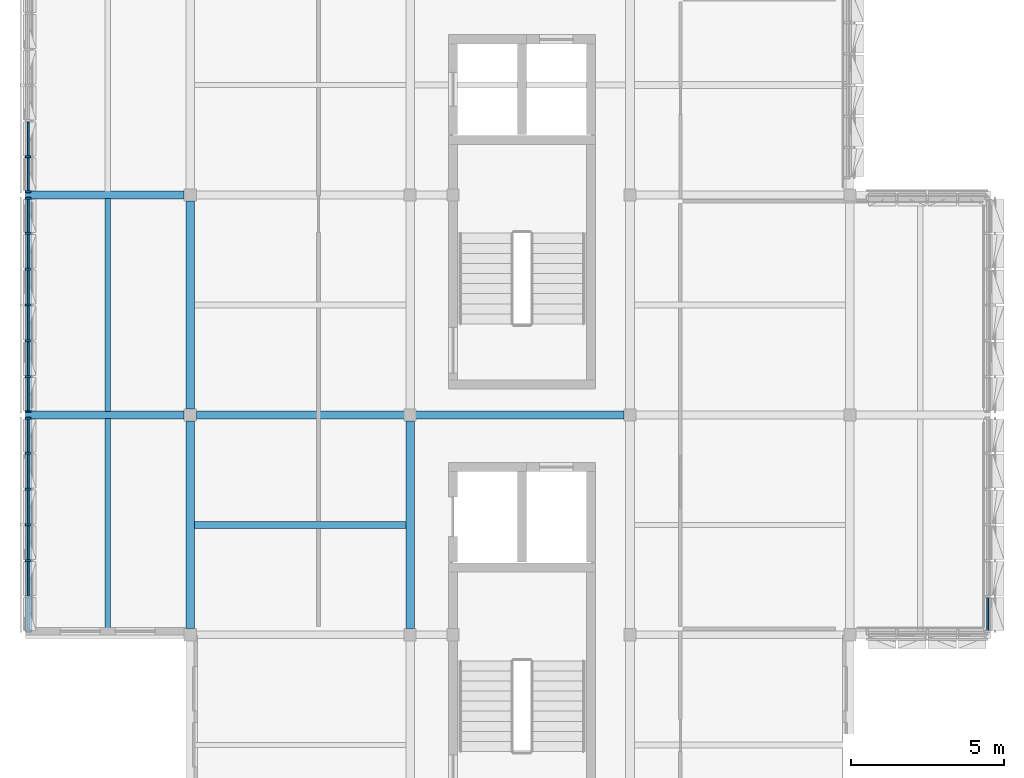
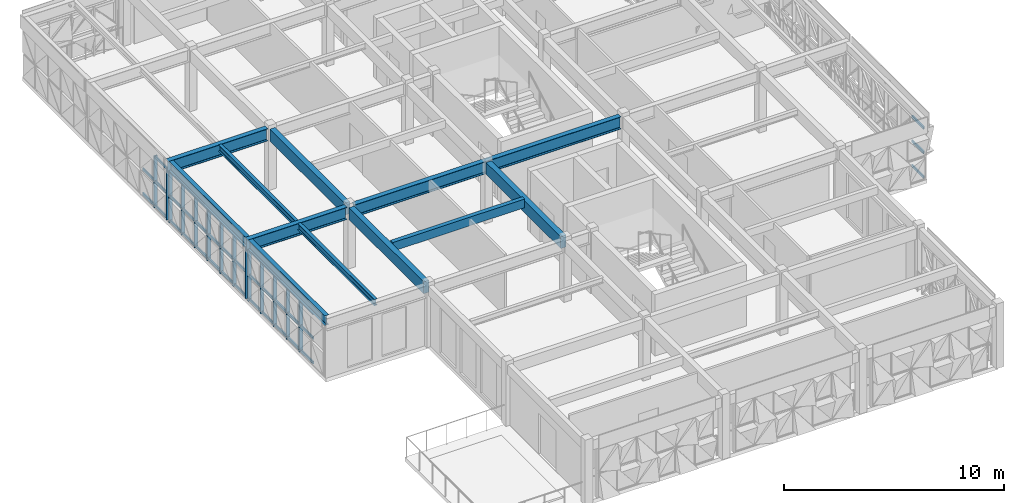
# One storey, part 3 of 25: 55 members, 11 beams, 4 elements without a shape of their own.
"""IFC4 building model written with IfcOpenShell, lengths in metres."""

from ifc_helpers import new_model, si_unit, direction, frame, origin, origin_2d, place, context, subcontext, project, spatial, rectangle, i_section, extrude, material, material_profile, profile_set, type_object, element, aggregate, save


model = new_model("IFC4")

# Units and contexts
model_context = context("Model", 3, precision=1e-05, world=origin(), true_north=direction((0.0, 1.0)))
body_context = subcontext(model_context, "Body", "Model", "MODEL_VIEW")
ifc_project = project(units=[si_unit("LENGTHUNIT", "METRE"), si_unit("AREAUNIT", "SQUARE_METRE"), si_unit("VOLUMEUNIT", "CUBIC_METRE"), si_unit("PLANEANGLEUNIT", "RADIAN"), si_unit("MASSUNIT", "GRAM", prefix="KILO")], contexts=[model_context])

# Site, building, storey
site_placement = place(None, origin())
site = spatial("IfcSite", under=ifc_project, at=site_placement, CompositionType="ELEMENT")
building_placement = place(site_placement, origin())
building = spatial("IfcBuilding", under=site, at=building_placement, Name="Alvorim Cloister Faculty of Sciences", CompositionType="ELEMENT")
storey_placement = place(building_placement, frame((0.0, 0.0, 29.699951171875)))
storey = spatial("IfcBuildingStorey", under=building, at=storey_placement, Name="L08", CompositionType="ELEMENT", Elevation=29.699951171875)

# Beams
ifc_material_1 = material(Name="Glulam GL28h", Category="wood")
ifc_material_profile_1 = material_profile(ifc_material_1, rectangle(XDim=0.280029296875, YDim=0.659912109375, at=origin_2d()), Name="GL28-BM-280x660")
ifc_profile_set_1 = profile_set([ifc_material_profile_1], Name="Glulam GL28h")
beam_type_1 = type_object("IfcBeamType", Name="BM-GL-280x660", PredefinedType="BEAM", material=ifc_profile_set_1)
for number, where, z_axis, x_axis, name in (
    (1, (7.199951171875, 21.800048828125, 3.070068359375), (0.0, 1.0, 0.0), (-1.0, 0.0, 0.0), "L08 Primary Girder BM-2182"),
    (2, (7.199951171875, 29.0, 3.070068359375), (0.0, 1.0, 0.0), (-1.0, 0.0, 0.0), "L08 Primary Girder BM-2183"),
    (3, (14.39990234375, 21.800048828125, 3.06005859375), (0.0, 1.0, 0.0), (-1.0, 0.0, 0.0), "L08 Primary Girder BM-2189"),
):
    element("IfcBeam", number, at=place(storey_placement, frame(where, z_axis=z_axis, x_axis=x_axis)), inside=storey, type_object=beam_type_1, Name=name, PredefinedType="BEAM", context=body_context, shape_type="SweptSolid", body=[
        extrude(rectangle(XDim=0.280029296875, YDim=0.659912109375, at=origin_2d()), origin(), (0.0, 0.0, 1.0), 6.800048828125),
    ])
ifc_material_profile_2 = material_profile(ifc_material_1, rectangle(XDim=0.219970703125, YDim=0.47998046875, at=origin_2d()), Name="GL28-JST-220x480")
ifc_profile_set_2 = profile_set([ifc_material_profile_2], Name="Glulam GL28h")
beam_type_2 = type_object("IfcBeamType", Name="BM-JST-GL-220x480", PredefinedType="JOIST", material=ifc_profile_set_2)
beam_1_placement = place(storey_placement, frame((7.340087890625, 25.199951171875, 3.25), z_axis=(1.0, 0.0, 0.0), x_axis=(0.0, 1.0, 0.0)))
element("IfcBeam", 4, at=beam_1_placement, inside=storey, type_object=beam_type_2, Name="L08 Secondary Floor Joist BM-2210", PredefinedType="JOIST", context=body_context, shape_type="SweptSolid", body=[
    extrude(rectangle(XDim=0.219970703125, YDim=0.47998046875, at=origin_2d()), origin(), (0.0, 0.0, 1.0), 6.919921875),
])
ifc_material_2 = material(Name="Steel ASTM A572 Grade 50", Category="steel")
ifc_material_profile_3 = material_profile(ifc_material_2, i_section(OverallWidth=0.1708984375, OverallDepth=0.35498046875, WebThickness=0.007080078125, FlangeThickness=0.01171875, FilletRadius=0.012939453125, at=origin_2d()), Name="W360x51.0")
ifc_profile_set_3 = profile_set([ifc_material_profile_3], Name="Steel ASTM A572 Grade 50")
beam_type_3 = type_object("IfcBeamType", Name="BM-STL-W360", PredefinedType="JOIST", material=ifc_profile_set_3)
for number, where, z_axis, x_axis, name in (
    (5, (4.5, 21.7099609375, 3.22265625), (0.0, 1.0, 0.0), (-1.0, 0.0, 0.0), "L08 Cantilever Deck Joist BM-0198"),
    (6, (4.5, 28.909912109375, 3.22265625), (0.0, 1.0, 0.0), (-1.0, 0.0, 0.0), "L08 Cantilever Deck Joist BM-0200"),
):
    element("IfcBeam", number, at=place(storey_placement, frame(where, z_axis=z_axis, x_axis=x_axis)), inside=storey, type_object=beam_type_3, Name=name, PredefinedType="JOIST", context=body_context, shape_type="SweptSolid", body=[
        extrude(i_section(OverallWidth=0.1708984375, OverallDepth=0.35498046875, WebThickness=0.007080078125, FlangeThickness=0.01171875, FilletRadius=0.012939453125, at=origin_2d()), origin(), (0.0, 0.0, 1.0), 6.97998046875),
    ])
ifc_material_profile_4 = material_profile(ifc_material_2, i_section(OverallWidth=0.208984375, OverallDepth=0.532958984375, WebThickness=0.01025390625, FlangeThickness=0.015625, FilletRadius=0.01611328125, at=origin_2d()), Name="W530x92.0")
ifc_profile_set_4 = profile_set([ifc_material_profile_4], Name="Steel ASTM A572 Grade 50")
beam_type_4 = type_object("IfcBeamType", Name="BM-STL-W530", PredefinedType="BEAM", material=ifc_profile_set_4)
for number, where, z_axis, x_axis, name in (
    (7, (1.919921875, 21.7099609375, 3.133544921875), (0.0, 1.0, 0.0), (-1.0, 0.0, 0.0), "L08 Cantilever Tip Header Girder BM-0197"),
    (8, (1.919921875, 28.909912109375, 3.133544921875), (0.0, 1.0, 0.0), (-1.0, 0.0, 0.0), "L08 Cantilever Tip Header Girder BM-0199"),
):
    element("IfcBeam", number, at=place(storey_placement, frame(where, z_axis=z_axis, x_axis=x_axis)), inside=storey, type_object=beam_type_4, Name=name, PredefinedType="BEAM", context=body_context, shape_type="SweptSolid", body=[
        extrude(i_section(OverallWidth=0.208984375, OverallDepth=0.532958984375, WebThickness=0.01025390625, FlangeThickness=0.015625, FilletRadius=0.01611328125, at=origin_2d()), origin(), (0.0, 0.0, 1.0), 6.97998046875),
    ])
ifc_material_profile_5 = material_profile(ifc_material_2, i_section(OverallWidth=0.25390625, OverallDepth=0.68408203125, WebThickness=0.012451171875, FlangeThickness=0.01904296875, FilletRadius=0.01904296875, at=origin_2d()), Name="W690x140.0")
ifc_profile_set_5 = profile_set([ifc_material_profile_5], Name="Steel ASTM A572 Grade 50")
beam_type_5 = type_object("IfcBeamType", Name="BM-STL-W690", PredefinedType="BEAM", material=ifc_profile_set_5)
beam_2_placement = place(storey_placement, frame((7.39990234375, 28.800048828125, 3.048095703125), z_axis=(1.0, 0.0, 0.0), x_axis=(0.0, 1.0, 0.0)))
element("IfcBeam", 9, at=beam_2_placement, inside=storey, type_object=beam_type_5, Name="L08 Cantilever Backspan Girder BM-0189", PredefinedType="BEAM", context=body_context, shape_type="SweptSolid", body=[
    extrude(i_section(OverallWidth=0.25390625, OverallDepth=0.68408203125, WebThickness=0.012451171875, FlangeThickness=0.01904296875, FilletRadius=0.01904296875, at=origin_2d()), origin(), (0.0, 0.0, 1.0), 14.0),
])
for number, where, z_axis, x_axis, name in (
    (10, (1.800048828125, 28.800048828125, 3.05810546875), (1.0, 0.0, 0.0), (0.0, 1.0, 0.0), "L08 Cantilever Overhang Girder BM-0190"),
    (11, (1.800048828125, 36.0, 3.05810546875), (1.0, 0.0, 0.0), (0.0, 1.0, 0.0), "L08 Cantilever Overhang Girder BM-0192"),
):
    element("IfcBeam", number, at=place(storey_placement, frame(where, z_axis=z_axis, x_axis=x_axis)), inside=storey, type_object=beam_type_5, Name=name, PredefinedType="BEAM", context=body_context, shape_type="SweptSolid", body=[
        extrude(i_section(OverallWidth=0.25390625, OverallDepth=0.68408203125, WebThickness=0.012451171875, FlangeThickness=0.01904296875, FilletRadius=0.01904296875, at=origin_2d()), origin(), (0.0, 0.0, 1.0), 5.199951171875),
    ])

# Curtain wall, members
ifc_material_3 = material(Name="Aluminium and Low-E Glass Curtain Wall", Category="aluminium")
curtain_wall_type = type_object("IfcCurtainWallType", Name="CW-TRI-7040x2867", PredefinedType="USERDEFINED", material=ifc_material_3)
curtain_wall_1_placement = place(storey_placement, origin())
curtain_wall_1 = element("IfcCurtainWall", 12, at=curtain_wall_1_placement, inside=storey, type_object=curtain_wall_type, Name="L08 Diagonal Cassette Curtain Wall CW-0281", ObjectType="UNITISED CURTAIN WALL", PredefinedType="USERDEFINED")
ifc_material_4 = material(Name="Aluminium Alloy 6063-T6", Category="aluminium")
ifc_material_profile_6 = material_profile(ifc_material_4, rectangle(XDim=0.06494140625, YDim=0.179931640625, at=origin_2d()), Name="ALU-MUL-65x180")
ifc_profile_set_6 = profile_set([ifc_material_profile_6], Name="Aluminium Alloy 6063-T6")
member_type_1 = type_object("IfcMemberType", Name="CW-MUL-65x180", PredefinedType="MULLION", material=ifc_profile_set_6)
member_1_placement = place(storey_placement, frame((1.889892578125, 24.026611328125, 0.0), z_axis=(0.0, 0.0, 1.0), x_axis=(0.0, 1.0, 0.0)))
member_1 = element("IfcMember", 13, at=member_1_placement, type_object=member_type_1, Name="CW-0281 Mullion 3", PredefinedType="MULLION", context=body_context, shape_type="SweptSolid", body=[
    extrude(rectangle(XDim=0.06494140625, YDim=0.179931640625, at=origin_2d()), origin(), (0.0, 0.0, 1.0), 2.866943359375),
])
member_2_placement = place(storey_placement, frame((1.889892578125, 25.199951171875, 0.0), z_axis=(0.0, 0.0, 1.0), x_axis=(0.0, 1.0, 0.0)))
member_2 = element("IfcMember", 14, at=member_2_placement, type_object=member_type_1, Name="CW-0281 Mullion 4", PredefinedType="MULLION", context=body_context, shape_type="SweptSolid", body=[
    extrude(rectangle(XDim=0.06494140625, YDim=0.179931640625, at=origin_2d()), origin(), (0.0, 0.0, 1.0), 2.866943359375),
])
member_3_placement = place(storey_placement, frame((1.889892578125, 26.373291015625, 0.0), z_axis=(0.0, 0.0, 1.0), x_axis=(0.0, 1.0, 0.0)))
member_3 = element("IfcMember", 15, at=member_3_placement, type_object=member_type_1, Name="CW-0281 Mullion 5", PredefinedType="MULLION", context=body_context, shape_type="SweptSolid", body=[
    extrude(rectangle(XDim=0.06494140625, YDim=0.179931640625, at=origin_2d()), origin(), (0.0, 0.0, 1.0), 2.866943359375),
])
member_4_placement = place(storey_placement, frame((1.889892578125, 27.546630859375, 0.0), z_axis=(0.0, 0.0, 1.0), x_axis=(0.0, 1.0, 0.0)))
member_4 = element("IfcMember", 16, at=member_4_placement, type_object=member_type_1, Name="CW-0281 Mullion 6", PredefinedType="MULLION", context=body_context, shape_type="SweptSolid", body=[
    extrude(rectangle(XDim=0.06494140625, YDim=0.179931640625, at=origin_2d()), origin(), (0.0, 0.0, 1.0), 2.866943359375),
])
member_5_placement = place(storey_placement, frame((1.889892578125, 28.6875, 0.0), z_axis=(0.0, 0.0, 1.0), x_axis=(0.0, 1.0, 0.0)))
member_5 = element("IfcMember", 17, at=member_5_placement, type_object=member_type_1, Name="CW-0281 Mullion 7", PredefinedType="MULLION", context=body_context, shape_type="SweptSolid", body=[
    extrude(rectangle(XDim=0.06494140625, YDim=0.179931640625, at=origin_2d()), origin(), (0.0, 0.0, 1.0), 2.866943359375),
])

curtain_wall_2_placement = place(storey_placement, origin())
curtain_wall_2 = element("IfcCurtainWall", 18, at=curtain_wall_2_placement, inside=storey, type_object=curtain_wall_type, Name="L08 Diagonal Cassette Curtain Wall CW-0282", ObjectType="UNITISED CURTAIN WALL", PredefinedType="USERDEFINED")
member_6_placement = place(storey_placement, frame((1.889892578125, 28.91259765625, 0.0), z_axis=(0.0, 0.0, 1.0), x_axis=(0.0, 1.0, 0.0)))
member_6 = element("IfcMember", 19, at=member_6_placement, type_object=member_type_1, Name="CW-0282 Mullion 1", PredefinedType="MULLION", context=body_context, shape_type="SweptSolid", body=[
    extrude(rectangle(XDim=0.06494140625, YDim=0.179931640625, at=origin_2d()), origin(), (0.0, 0.0, 1.0), 2.866943359375),
])
member_7_placement = place(storey_placement, frame((1.889892578125, 30.05322265625, 0.0), z_axis=(0.0, 0.0, 1.0), x_axis=(0.0, 1.0, 0.0)))
member_7 = element("IfcMember", 20, at=member_7_placement, type_object=member_type_1, Name="CW-0282 Mullion 2", PredefinedType="MULLION", context=body_context, shape_type="SweptSolid", body=[
    extrude(rectangle(XDim=0.06494140625, YDim=0.179931640625, at=origin_2d()), origin(), (0.0, 0.0, 1.0), 2.866943359375),
])
member_8_placement = place(storey_placement, frame((1.889892578125, 31.226806640625, 0.0), z_axis=(0.0, 0.0, 1.0), x_axis=(0.0, 1.0, 0.0)))
member_8 = element("IfcMember", 21, at=member_8_placement, type_object=member_type_1, Name="CW-0282 Mullion 3", PredefinedType="MULLION", context=body_context, shape_type="SweptSolid", body=[
    extrude(rectangle(XDim=0.06494140625, YDim=0.179931640625, at=origin_2d()), origin(), (0.0, 0.0, 1.0), 2.866943359375),
])
member_9_placement = place(storey_placement, frame((1.889892578125, 32.39990234375, 0.0), z_axis=(0.0, 0.0, 1.0), x_axis=(0.0, 1.0, 0.0)))
member_9 = element("IfcMember", 22, at=member_9_placement, type_object=member_type_1, Name="CW-0282 Mullion 4", PredefinedType="MULLION", context=body_context, shape_type="SweptSolid", body=[
    extrude(rectangle(XDim=0.06494140625, YDim=0.179931640625, at=origin_2d()), origin(), (0.0, 0.0, 1.0), 2.866943359375),
])
member_10_placement = place(storey_placement, frame((1.889892578125, 33.5732421875, 0.0), z_axis=(0.0, 0.0, 1.0), x_axis=(0.0, 1.0, 0.0)))
member_10 = element("IfcMember", 23, at=member_10_placement, type_object=member_type_1, Name="CW-0282 Mullion 5", PredefinedType="MULLION", context=body_context, shape_type="SweptSolid", body=[
    extrude(rectangle(XDim=0.06494140625, YDim=0.179931640625, at=origin_2d()), origin(), (0.0, 0.0, 1.0), 2.866943359375),
])
member_11_placement = place(storey_placement, frame((1.889892578125, 34.74658203125, 0.0), z_axis=(0.0, 0.0, 1.0), x_axis=(0.0, 1.0, 0.0)))
member_11 = element("IfcMember", 24, at=member_11_placement, type_object=member_type_1, Name="CW-0282 Mullion 6", PredefinedType="MULLION", context=body_context, shape_type="SweptSolid", body=[
    extrude(rectangle(XDim=0.06494140625, YDim=0.179931640625, at=origin_2d()), origin(), (0.0, 0.0, 1.0), 2.866943359375),
])
member_12_placement = place(storey_placement, frame((1.889892578125, 35.887451171875, 0.0), z_axis=(0.0, 0.0, 1.0), x_axis=(0.0, 1.0, 0.0)))
member_12 = element("IfcMember", 25, at=member_12_placement, type_object=member_type_1, Name="CW-0282 Mullion 7", PredefinedType="MULLION", context=body_context, shape_type="SweptSolid", body=[
    extrude(rectangle(XDim=0.06494140625, YDim=0.179931640625, at=origin_2d()), origin(), (0.0, 0.0, 1.0), 2.866943359375),
])

curtain_wall_3_placement = place(storey_placement, origin())
curtain_wall_3 = element("IfcCurtainWall", 26, at=curtain_wall_3_placement, inside=storey, type_object=curtain_wall_type, Name="L08 Diagonal Cassette Curtain Wall CW-0283", ObjectType="UNITISED CURTAIN WALL", PredefinedType="USERDEFINED")
member_13_placement = place(storey_placement, frame((1.889892578125, 36.112548828125, 0.0), z_axis=(0.0, 0.0, 1.0), x_axis=(0.0, 1.0, 0.0)))
member_13 = element("IfcMember", 27, at=member_13_placement, type_object=member_type_1, Name="CW-0283 Mullion 1", PredefinedType="MULLION", context=body_context, shape_type="SweptSolid", body=[
    extrude(rectangle(XDim=0.06494140625, YDim=0.179931640625, at=origin_2d()), origin(), (0.0, 0.0, 1.0), 2.866943359375),
])
member_14_placement = place(storey_placement, frame((1.889892578125, 37.25341796875, 0.0), z_axis=(0.0, 0.0, 1.0), x_axis=(0.0, 1.0, 0.0)))
member_14 = element("IfcMember", 28, at=member_14_placement, type_object=member_type_1, Name="CW-0283 Mullion 2", PredefinedType="MULLION", context=body_context, shape_type="SweptSolid", body=[
    extrude(rectangle(XDim=0.06494140625, YDim=0.179931640625, at=origin_2d()), origin(), (0.0, 0.0, 1.0), 2.866943359375),
])

# Member
ifc_material_profile_7 = material_profile(ifc_material_4, rectangle(XDim=0.06494140625, YDim=0.139892578125, at=origin_2d()), Name="ALU-TRN-65x140")
ifc_profile_set_7 = profile_set([ifc_material_profile_7], Name="Aluminium Alloy 6063-T6")
member_type_2 = type_object("IfcMemberType", Name="CW-TRN-65x140", PredefinedType="USERDEFINED", material=ifc_profile_set_7)
member_15_placement = place(storey_placement, frame((1.889892578125, 22.8857421875, 0.070068359375), z_axis=(0.0, 1.0, 0.0), x_axis=(-1.0, 0.0, 0.0)))
member_15 = element("IfcMember", 29, at=member_15_placement, type_object=member_type_2, Name="CW-0281 Transom 2.1", ObjectType="TRANSOM", PredefinedType="USERDEFINED", context=body_context, shape_type="SweptSolid", body=[
    extrude(rectangle(XDim=0.06494140625, YDim=0.139892578125, at=origin_2d()), origin(), (0.0, 0.0, 1.0), 1.1083984375),
])

member_16_placement = place(storey_placement, frame((1.889892578125, 22.8857421875, 1.43359375), z_axis=(0.0, 1.0, 0.0), x_axis=(-1.0, 0.0, 0.0)))
member_16 = element("IfcMember", 30, at=member_16_placement, type_object=member_type_2, Name="CW-0281 Transom 2.2", ObjectType="TRANSOM", PredefinedType="USERDEFINED", context=body_context, shape_type="SweptSolid", body=[
    extrude(rectangle(XDim=0.06494140625, YDim=0.139892578125, at=origin_2d()), origin(), (0.0, 0.0, 1.0), 1.1083984375),
])

member_17_placement = place(storey_placement, frame((1.889892578125, 22.8857421875, 2.797119140625), z_axis=(0.0, 1.0, 0.0), x_axis=(-1.0, 0.0, 0.0)))
member_17 = element("IfcMember", 31, at=member_17_placement, type_object=member_type_2, Name="CW-0281 Transom 2.3", ObjectType="TRANSOM", PredefinedType="USERDEFINED", context=body_context, shape_type="SweptSolid", body=[
    extrude(rectangle(XDim=0.06494140625, YDim=0.139892578125, at=origin_2d()), origin(), (0.0, 0.0, 1.0), 1.1083984375),
])

member_18_placement = place(storey_placement, frame((1.889892578125, 24.05908203125, 0.070068359375), z_axis=(0.0, 1.0, 0.0), x_axis=(-1.0, 0.0, 0.0)))
member_18 = element("IfcMember", 32, at=member_18_placement, type_object=member_type_2, Name="CW-0281 Transom 3.1", ObjectType="TRANSOM", PredefinedType="USERDEFINED", context=body_context, shape_type="SweptSolid", body=[
    extrude(rectangle(XDim=0.06494140625, YDim=0.139892578125, at=origin_2d()), origin(), (0.0, 0.0, 1.0), 1.1083984375),
])

member_19_placement = place(storey_placement, frame((1.889892578125, 24.05908203125, 1.43359375), z_axis=(0.0, 1.0, 0.0), x_axis=(-1.0, 0.0, 0.0)))
member_19 = element("IfcMember", 33, at=member_19_placement, type_object=member_type_2, Name="CW-0281 Transom 3.2", ObjectType="TRANSOM", PredefinedType="USERDEFINED", context=body_context, shape_type="SweptSolid", body=[
    extrude(rectangle(XDim=0.06494140625, YDim=0.139892578125, at=origin_2d()), origin(), (0.0, 0.0, 1.0), 1.1083984375),
])

member_20_placement = place(storey_placement, frame((1.889892578125, 24.05908203125, 2.797119140625), z_axis=(0.0, 1.0, 0.0), x_axis=(-1.0, 0.0, 0.0)))
member_20 = element("IfcMember", 34, at=member_20_placement, type_object=member_type_2, Name="CW-0281 Transom 3.3", ObjectType="TRANSOM", PredefinedType="USERDEFINED", context=body_context, shape_type="SweptSolid", body=[
    extrude(rectangle(XDim=0.06494140625, YDim=0.139892578125, at=origin_2d()), origin(), (0.0, 0.0, 1.0), 1.1083984375),
])

member_21_placement = place(storey_placement, frame((1.889892578125, 25.232421875, 0.070068359375), z_axis=(0.0, 1.0, 0.0), x_axis=(-1.0, 0.0, 0.0)))
member_21 = element("IfcMember", 35, at=member_21_placement, type_object=member_type_2, Name="CW-0281 Transom 4.1", ObjectType="TRANSOM", PredefinedType="USERDEFINED", context=body_context, shape_type="SweptSolid", body=[
    extrude(rectangle(XDim=0.06494140625, YDim=0.139892578125, at=origin_2d()), origin(), (0.0, 0.0, 1.0), 1.1083984375),
])

member_22_placement = place(storey_placement, frame((1.889892578125, 25.232421875, 1.43359375), z_axis=(0.0, 1.0, 0.0), x_axis=(-1.0, 0.0, 0.0)))
member_22 = element("IfcMember", 36, at=member_22_placement, type_object=member_type_2, Name="CW-0281 Transom 4.2", ObjectType="TRANSOM", PredefinedType="USERDEFINED", context=body_context, shape_type="SweptSolid", body=[
    extrude(rectangle(XDim=0.06494140625, YDim=0.139892578125, at=origin_2d()), origin(), (0.0, 0.0, 1.0), 1.1083984375),
])

member_23_placement = place(storey_placement, frame((1.889892578125, 25.232421875, 2.797119140625), z_axis=(0.0, 1.0, 0.0), x_axis=(-1.0, 0.0, 0.0)))
member_23 = element("IfcMember", 37, at=member_23_placement, type_object=member_type_2, Name="CW-0281 Transom 4.3", ObjectType="TRANSOM", PredefinedType="USERDEFINED", context=body_context, shape_type="SweptSolid", body=[
    extrude(rectangle(XDim=0.06494140625, YDim=0.139892578125, at=origin_2d()), origin(), (0.0, 0.0, 1.0), 1.1083984375),
])

member_24_placement = place(storey_placement, frame((1.889892578125, 26.40576171875, 0.070068359375), z_axis=(0.0, 1.0, 0.0), x_axis=(-1.0, 0.0, 0.0)))
member_24 = element("IfcMember", 38, at=member_24_placement, type_object=member_type_2, Name="CW-0281 Transom 5.1", ObjectType="TRANSOM", PredefinedType="USERDEFINED", context=body_context, shape_type="SweptSolid", body=[
    extrude(rectangle(XDim=0.06494140625, YDim=0.139892578125, at=origin_2d()), origin(), (0.0, 0.0, 1.0), 1.1083984375),
])

member_25_placement = place(storey_placement, frame((1.889892578125, 26.40576171875, 1.43359375), z_axis=(0.0, 1.0, 0.0), x_axis=(-1.0, 0.0, 0.0)))
member_25 = element("IfcMember", 39, at=member_25_placement, type_object=member_type_2, Name="CW-0281 Transom 5.2", ObjectType="TRANSOM", PredefinedType="USERDEFINED", context=body_context, shape_type="SweptSolid", body=[
    extrude(rectangle(XDim=0.06494140625, YDim=0.139892578125, at=origin_2d()), origin(), (0.0, 0.0, 1.0), 1.1083984375),
])

member_26_placement = place(storey_placement, frame((1.889892578125, 26.40576171875, 2.797119140625), z_axis=(0.0, 1.0, 0.0), x_axis=(-1.0, 0.0, 0.0)))
member_26 = element("IfcMember", 40, at=member_26_placement, type_object=member_type_2, Name="CW-0281 Transom 5.3", ObjectType="TRANSOM", PredefinedType="USERDEFINED", context=body_context, shape_type="SweptSolid", body=[
    extrude(rectangle(XDim=0.06494140625, YDim=0.139892578125, at=origin_2d()), origin(), (0.0, 0.0, 1.0), 1.1083984375),
])

member_27_placement = place(storey_placement, frame((1.889892578125, 27.5791015625, 0.070068359375), z_axis=(0.0, 1.0, 0.0), x_axis=(-1.0, 0.0, 0.0)))
member_27 = element("IfcMember", 41, at=member_27_placement, type_object=member_type_2, Name="CW-0281 Transom 6.1", ObjectType="TRANSOM", PredefinedType="USERDEFINED", context=body_context, shape_type="SweptSolid", body=[
    extrude(rectangle(XDim=0.06494140625, YDim=0.139892578125, at=origin_2d()), origin(), (0.0, 0.0, 1.0), 1.075927734375),
])

member_28_placement = place(storey_placement, frame((1.889892578125, 27.5791015625, 1.43359375), z_axis=(0.0, 1.0, 0.0), x_axis=(-1.0, 0.0, 0.0)))
member_28 = element("IfcMember", 42, at=member_28_placement, type_object=member_type_2, Name="CW-0281 Transom 6.2", ObjectType="TRANSOM", PredefinedType="USERDEFINED", context=body_context, shape_type="SweptSolid", body=[
    extrude(rectangle(XDim=0.06494140625, YDim=0.139892578125, at=origin_2d()), origin(), (0.0, 0.0, 1.0), 1.075927734375),
])

member_29_placement = place(storey_placement, frame((1.889892578125, 27.5791015625, 2.797119140625), z_axis=(0.0, 1.0, 0.0), x_axis=(-1.0, 0.0, 0.0)))
member_29 = element("IfcMember", 43, at=member_29_placement, type_object=member_type_2, Name="CW-0281 Transom 6.3", ObjectType="TRANSOM", PredefinedType="USERDEFINED", context=body_context, shape_type="SweptSolid", body=[
    extrude(rectangle(XDim=0.06494140625, YDim=0.139892578125, at=origin_2d()), origin(), (0.0, 0.0, 1.0), 1.075927734375),
])

aggregate(curtain_wall_1, [member_1, member_2, member_3, member_4, member_5, member_15, member_16, member_17, member_18, member_19, member_20, member_21, member_22, member_23, member_24, member_25, member_26, member_27, member_28, member_29])

member_30_placement = place(storey_placement, frame((1.889892578125, 28.945068359375, 0.070068359375), z_axis=(0.0, 1.0, 0.0), x_axis=(-1.0, 0.0, 0.0)))
member_30 = element("IfcMember", 44, at=member_30_placement, type_object=member_type_2, Name="CW-0282 Transom 1.1", ObjectType="TRANSOM", PredefinedType="USERDEFINED", context=body_context, shape_type="SweptSolid", body=[
    extrude(rectangle(XDim=0.06494140625, YDim=0.139892578125, at=origin_2d()), origin(), (0.0, 0.0, 1.0), 1.07568359375),
])

member_31_placement = place(storey_placement, frame((1.889892578125, 28.945068359375, 1.43359375), z_axis=(0.0, 1.0, 0.0), x_axis=(-1.0, 0.0, 0.0)))
member_31 = element("IfcMember", 45, at=member_31_placement, type_object=member_type_2, Name="CW-0282 Transom 1.2", ObjectType="TRANSOM", PredefinedType="USERDEFINED", context=body_context, shape_type="SweptSolid", body=[
    extrude(rectangle(XDim=0.06494140625, YDim=0.139892578125, at=origin_2d()), origin(), (0.0, 0.0, 1.0), 1.07568359375),
])

member_32_placement = place(storey_placement, frame((1.889892578125, 28.945068359375, 2.797119140625), z_axis=(0.0, 1.0, 0.0), x_axis=(-1.0, 0.0, 0.0)))
member_32 = element("IfcMember", 46, at=member_32_placement, type_object=member_type_2, Name="CW-0282 Transom 1.3", ObjectType="TRANSOM", PredefinedType="USERDEFINED", context=body_context, shape_type="SweptSolid", body=[
    extrude(rectangle(XDim=0.06494140625, YDim=0.139892578125, at=origin_2d()), origin(), (0.0, 0.0, 1.0), 1.07568359375),
])

member_33_placement = place(storey_placement, frame((1.889892578125, 30.0859375, 0.070068359375), z_axis=(0.0, 1.0, 0.0), x_axis=(-1.0, 0.0, 0.0)))
member_33 = element("IfcMember", 47, at=member_33_placement, type_object=member_type_2, Name="CW-0282 Transom 2.1", ObjectType="TRANSOM", PredefinedType="USERDEFINED", context=body_context, shape_type="SweptSolid", body=[
    extrude(rectangle(XDim=0.06494140625, YDim=0.139892578125, at=origin_2d()), origin(), (0.0, 0.0, 1.0), 1.108154296875),
])

member_34_placement = place(storey_placement, frame((1.889892578125, 30.0859375, 1.43359375), z_axis=(0.0, 1.0, 0.0), x_axis=(-1.0, 0.0, 0.0)))
member_34 = element("IfcMember", 48, at=member_34_placement, type_object=member_type_2, Name="CW-0282 Transom 2.2", ObjectType="TRANSOM", PredefinedType="USERDEFINED", context=body_context, shape_type="SweptSolid", body=[
    extrude(rectangle(XDim=0.06494140625, YDim=0.139892578125, at=origin_2d()), origin(), (0.0, 0.0, 1.0), 1.108154296875),
])

member_35_placement = place(storey_placement, frame((1.889892578125, 30.0859375, 2.797119140625), z_axis=(0.0, 1.0, 0.0), x_axis=(-1.0, 0.0, 0.0)))
member_35 = element("IfcMember", 49, at=member_35_placement, type_object=member_type_2, Name="CW-0282 Transom 2.3", ObjectType="TRANSOM", PredefinedType="USERDEFINED", context=body_context, shape_type="SweptSolid", body=[
    extrude(rectangle(XDim=0.06494140625, YDim=0.139892578125, at=origin_2d()), origin(), (0.0, 0.0, 1.0), 1.108154296875),
])

member_36_placement = place(storey_placement, frame((1.889892578125, 31.25927734375, 0.070068359375), z_axis=(0.0, 1.0, 0.0), x_axis=(-1.0, 0.0, 0.0)))
member_36 = element("IfcMember", 50, at=member_36_placement, type_object=member_type_2, Name="CW-0282 Transom 3.1", ObjectType="TRANSOM", PredefinedType="USERDEFINED", context=body_context, shape_type="SweptSolid", body=[
    extrude(rectangle(XDim=0.06494140625, YDim=0.139892578125, at=origin_2d()), origin(), (0.0, 0.0, 1.0), 1.108154296875),
])

member_37_placement = place(storey_placement, frame((1.889892578125, 31.25927734375, 1.43359375), z_axis=(0.0, 1.0, 0.0), x_axis=(-1.0, 0.0, 0.0)))
member_37 = element("IfcMember", 51, at=member_37_placement, type_object=member_type_2, Name="CW-0282 Transom 3.2", ObjectType="TRANSOM", PredefinedType="USERDEFINED", context=body_context, shape_type="SweptSolid", body=[
    extrude(rectangle(XDim=0.06494140625, YDim=0.139892578125, at=origin_2d()), origin(), (0.0, 0.0, 1.0), 1.108154296875),
])

member_38_placement = place(storey_placement, frame((1.889892578125, 31.25927734375, 2.797119140625), z_axis=(0.0, 1.0, 0.0), x_axis=(-1.0, 0.0, 0.0)))
member_38 = element("IfcMember", 52, at=member_38_placement, type_object=member_type_2, Name="CW-0282 Transom 3.3", ObjectType="TRANSOM", PredefinedType="USERDEFINED", context=body_context, shape_type="SweptSolid", body=[
    extrude(rectangle(XDim=0.06494140625, YDim=0.139892578125, at=origin_2d()), origin(), (0.0, 0.0, 1.0), 1.108154296875),
])

member_39_placement = place(storey_placement, frame((1.889892578125, 32.4326171875, 0.070068359375), z_axis=(0.0, 1.0, 0.0), x_axis=(-1.0, 0.0, 0.0)))
member_39 = element("IfcMember", 53, at=member_39_placement, type_object=member_type_2, Name="CW-0282 Transom 4.1", ObjectType="TRANSOM", PredefinedType="USERDEFINED", context=body_context, shape_type="SweptSolid", body=[
    extrude(rectangle(XDim=0.06494140625, YDim=0.139892578125, at=origin_2d()), origin(), (0.0, 0.0, 1.0), 1.108154296875),
])

member_40_placement = place(storey_placement, frame((1.889892578125, 32.4326171875, 1.43359375), z_axis=(0.0, 1.0, 0.0), x_axis=(-1.0, 0.0, 0.0)))
member_40 = element("IfcMember", 54, at=member_40_placement, type_object=member_type_2, Name="CW-0282 Transom 4.2", ObjectType="TRANSOM", PredefinedType="USERDEFINED", context=body_context, shape_type="SweptSolid", body=[
    extrude(rectangle(XDim=0.06494140625, YDim=0.139892578125, at=origin_2d()), origin(), (0.0, 0.0, 1.0), 1.108154296875),
])

member_41_placement = place(storey_placement, frame((1.889892578125, 32.4326171875, 2.797119140625), z_axis=(0.0, 1.0, 0.0), x_axis=(-1.0, 0.0, 0.0)))
member_41 = element("IfcMember", 55, at=member_41_placement, type_object=member_type_2, Name="CW-0282 Transom 4.3", ObjectType="TRANSOM", PredefinedType="USERDEFINED", context=body_context, shape_type="SweptSolid", body=[
    extrude(rectangle(XDim=0.06494140625, YDim=0.139892578125, at=origin_2d()), origin(), (0.0, 0.0, 1.0), 1.108154296875),
])

member_42_placement = place(storey_placement, frame((1.889892578125, 33.605712890625, 0.070068359375), z_axis=(0.0, 1.0, 0.0), x_axis=(-1.0, 0.0, 0.0)))
member_42 = element("IfcMember", 56, at=member_42_placement, type_object=member_type_2, Name="CW-0282 Transom 5.1", ObjectType="TRANSOM", PredefinedType="USERDEFINED", context=body_context, shape_type="SweptSolid", body=[
    extrude(rectangle(XDim=0.06494140625, YDim=0.139892578125, at=origin_2d()), origin(), (0.0, 0.0, 1.0), 1.1083984375),
])

member_43_placement = place(storey_placement, frame((1.889892578125, 33.605712890625, 1.43359375), z_axis=(0.0, 1.0, 0.0), x_axis=(-1.0, 0.0, 0.0)))
member_43 = element("IfcMember", 57, at=member_43_placement, type_object=member_type_2, Name="CW-0282 Transom 5.2", ObjectType="TRANSOM", PredefinedType="USERDEFINED", context=body_context, shape_type="SweptSolid", body=[
    extrude(rectangle(XDim=0.06494140625, YDim=0.139892578125, at=origin_2d()), origin(), (0.0, 0.0, 1.0), 1.1083984375),
])

member_44_placement = place(storey_placement, frame((1.889892578125, 33.605712890625, 2.797119140625), z_axis=(0.0, 1.0, 0.0), x_axis=(-1.0, 0.0, 0.0)))
member_44 = element("IfcMember", 58, at=member_44_placement, type_object=member_type_2, Name="CW-0282 Transom 5.3", ObjectType="TRANSOM", PredefinedType="USERDEFINED", context=body_context, shape_type="SweptSolid", body=[
    extrude(rectangle(XDim=0.06494140625, YDim=0.139892578125, at=origin_2d()), origin(), (0.0, 0.0, 1.0), 1.1083984375),
])

member_45_placement = place(storey_placement, frame((1.889892578125, 34.779052734375, 0.070068359375), z_axis=(0.0, 1.0, 0.0), x_axis=(-1.0, 0.0, 0.0)))
member_45 = element("IfcMember", 59, at=member_45_placement, type_object=member_type_2, Name="CW-0282 Transom 6.1", ObjectType="TRANSOM", PredefinedType="USERDEFINED", context=body_context, shape_type="SweptSolid", body=[
    extrude(rectangle(XDim=0.06494140625, YDim=0.139892578125, at=origin_2d()), origin(), (0.0, 0.0, 1.0), 1.075927734375),
])

member_46_placement = place(storey_placement, frame((1.889892578125, 34.779052734375, 1.43359375), z_axis=(0.0, 1.0, 0.0), x_axis=(-1.0, 0.0, 0.0)))
member_46 = element("IfcMember", 60, at=member_46_placement, type_object=member_type_2, Name="CW-0282 Transom 6.2", ObjectType="TRANSOM", PredefinedType="USERDEFINED", context=body_context, shape_type="SweptSolid", body=[
    extrude(rectangle(XDim=0.06494140625, YDim=0.139892578125, at=origin_2d()), origin(), (0.0, 0.0, 1.0), 1.075927734375),
])

member_47_placement = place(storey_placement, frame((1.889892578125, 34.779052734375, 2.797119140625), z_axis=(0.0, 1.0, 0.0), x_axis=(-1.0, 0.0, 0.0)))
member_47 = element("IfcMember", 61, at=member_47_placement, type_object=member_type_2, Name="CW-0282 Transom 6.3", ObjectType="TRANSOM", PredefinedType="USERDEFINED", context=body_context, shape_type="SweptSolid", body=[
    extrude(rectangle(XDim=0.06494140625, YDim=0.139892578125, at=origin_2d()), origin(), (0.0, 0.0, 1.0), 1.075927734375),
])

aggregate(curtain_wall_2, [member_6, member_7, member_8, member_9, member_10, member_11, member_12, member_30, member_31, member_32, member_33, member_34, member_35, member_36, member_37, member_38, member_39, member_40, member_41, member_42, member_43, member_44, member_45, member_46, member_47])

member_48_placement = place(storey_placement, frame((1.889892578125, 36.14501953125, 0.070068359375), z_axis=(0.0, 1.0, 0.0), x_axis=(-1.0, 0.0, 0.0)))
member_48 = element("IfcMember", 62, at=member_48_placement, type_object=member_type_2, Name="CW-0283 Transom 1.1", ObjectType="TRANSOM", PredefinedType="USERDEFINED", context=body_context, shape_type="SweptSolid", body=[
    extrude(rectangle(XDim=0.06494140625, YDim=0.139892578125, at=origin_2d()), origin(), (0.0, 0.0, 1.0), 1.075927734375),
])

member_49_placement = place(storey_placement, frame((1.889892578125, 36.14501953125, 1.43359375), z_axis=(0.0, 1.0, 0.0), x_axis=(-1.0, 0.0, 0.0)))
member_49 = element("IfcMember", 63, at=member_49_placement, type_object=member_type_2, Name="CW-0283 Transom 1.2", ObjectType="TRANSOM", PredefinedType="USERDEFINED", context=body_context, shape_type="SweptSolid", body=[
    extrude(rectangle(XDim=0.06494140625, YDim=0.139892578125, at=origin_2d()), origin(), (0.0, 0.0, 1.0), 1.075927734375),
])

member_50_placement = place(storey_placement, frame((1.889892578125, 36.14501953125, 2.797119140625), z_axis=(0.0, 1.0, 0.0), x_axis=(-1.0, 0.0, 0.0)))
member_50 = element("IfcMember", 64, at=member_50_placement, type_object=member_type_2, Name="CW-0283 Transom 1.3", ObjectType="TRANSOM", PredefinedType="USERDEFINED", context=body_context, shape_type="SweptSolid", body=[
    extrude(rectangle(XDim=0.06494140625, YDim=0.139892578125, at=origin_2d()), origin(), (0.0, 0.0, 1.0), 1.075927734375),
])

member_51_placement = place(storey_placement, frame((1.889892578125, 37.285888671875, 0.070068359375), z_axis=(0.0, 1.0, 0.0), x_axis=(-1.0, 0.0, 0.0)))
member_51 = element("IfcMember", 65, at=member_51_placement, type_object=member_type_2, Name="CW-0283 Transom 2.1", ObjectType="TRANSOM", PredefinedType="USERDEFINED", context=body_context, shape_type="SweptSolid", body=[
    extrude(rectangle(XDim=0.06494140625, YDim=0.139892578125, at=origin_2d()), origin(), (0.0, 0.0, 1.0), 1.1083984375),
])

member_52_placement = place(storey_placement, frame((1.889892578125, 37.285888671875, 1.43359375), z_axis=(0.0, 1.0, 0.0), x_axis=(-1.0, 0.0, 0.0)))
member_52 = element("IfcMember", 66, at=member_52_placement, type_object=member_type_2, Name="CW-0283 Transom 2.2", ObjectType="TRANSOM", PredefinedType="USERDEFINED", context=body_context, shape_type="SweptSolid", body=[
    extrude(rectangle(XDim=0.06494140625, YDim=0.139892578125, at=origin_2d()), origin(), (0.0, 0.0, 1.0), 1.1083984375),
])

aggregate(curtain_wall_3, [member_13, member_14, member_48, member_49, member_50, member_51, member_52])

# Curtain wall, members
curtain_wall_4_placement = place(storey_placement, origin())
curtain_wall_4 = element("IfcCurtainWall", 67, at=curtain_wall_4_placement, inside=storey, type_object=curtain_wall_type, Name="L08 Diagonal Cassette Curtain Wall CW-0295", ObjectType="UNITISED CURTAIN WALL", PredefinedType="USERDEFINED")
member_53_placement = place(storey_placement, frame((33.31005859375, 21.7451171875, 0.070068359375), z_axis=(0.0, 1.0, 0.0), x_axis=(-1.0, 0.0, 0.0)))
member_53 = element("IfcMember", 68, at=member_53_placement, type_object=member_type_2, Name="CW-0295 Transom 1.1", ObjectType="TRANSOM", PredefinedType="USERDEFINED", context=body_context, shape_type="SweptSolid", body=[
    extrude(rectangle(XDim=0.06494140625, YDim=0.139892578125, at=origin_2d()), origin(), (0.0, 0.0, 1.0), 1.07568359375),
])
member_54_placement = place(storey_placement, frame((33.31005859375, 21.7451171875, 1.43359375), z_axis=(0.0, 1.0, 0.0), x_axis=(-1.0, 0.0, 0.0)))
member_54 = element("IfcMember", 69, at=member_54_placement, type_object=member_type_2, Name="CW-0295 Transom 1.2", ObjectType="TRANSOM", PredefinedType="USERDEFINED", context=body_context, shape_type="SweptSolid", body=[
    extrude(rectangle(XDim=0.06494140625, YDim=0.139892578125, at=origin_2d()), origin(), (0.0, 0.0, 1.0), 1.07568359375),
])
member_55_placement = place(storey_placement, frame((33.31005859375, 21.7451171875, 2.797119140625), z_axis=(0.0, 1.0, 0.0), x_axis=(-1.0, 0.0, 0.0)))
member_55 = element("IfcMember", 70, at=member_55_placement, type_object=member_type_2, Name="CW-0295 Transom 1.3", ObjectType="TRANSOM", PredefinedType="USERDEFINED", context=body_context, shape_type="SweptSolid", body=[
    extrude(rectangle(XDim=0.06494140625, YDim=0.139892578125, at=origin_2d()), origin(), (0.0, 0.0, 1.0), 1.07568359375),
])
aggregate(curtain_wall_4, [member_53, member_54, member_55])

save(model, "model.ifc")
